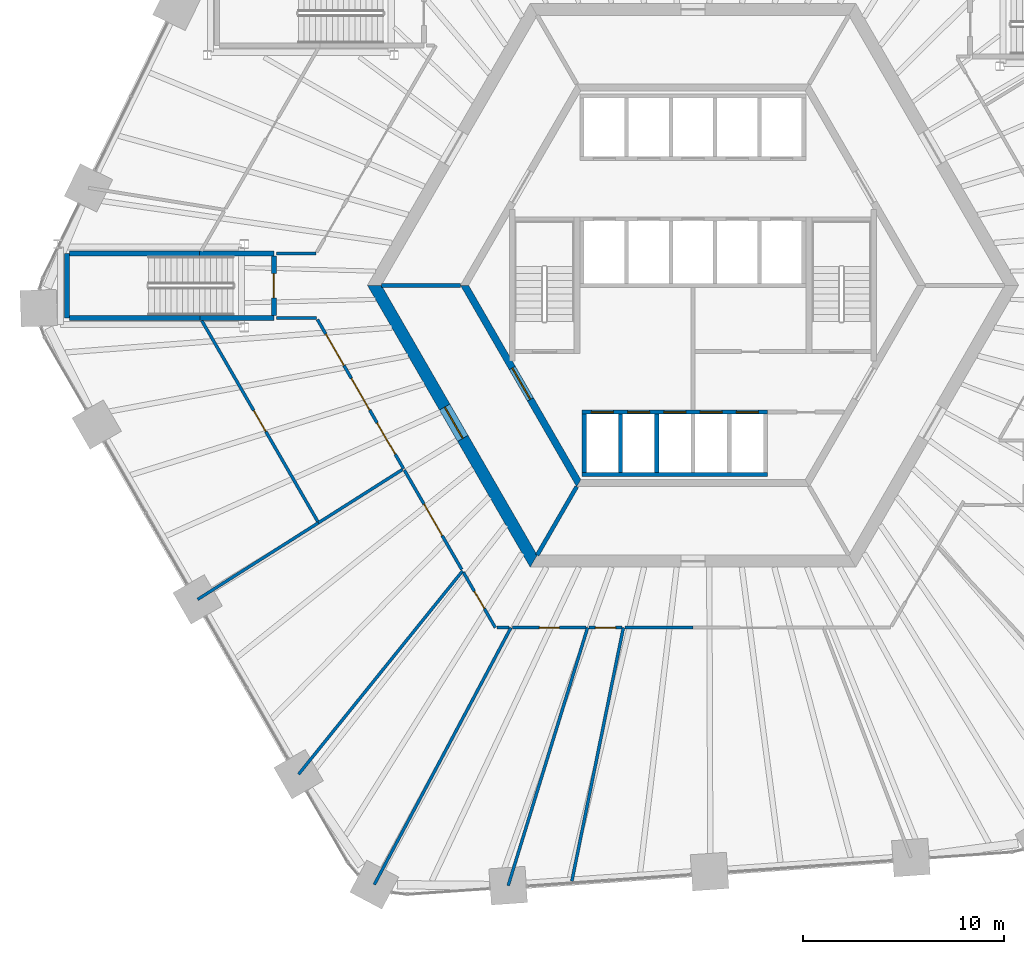
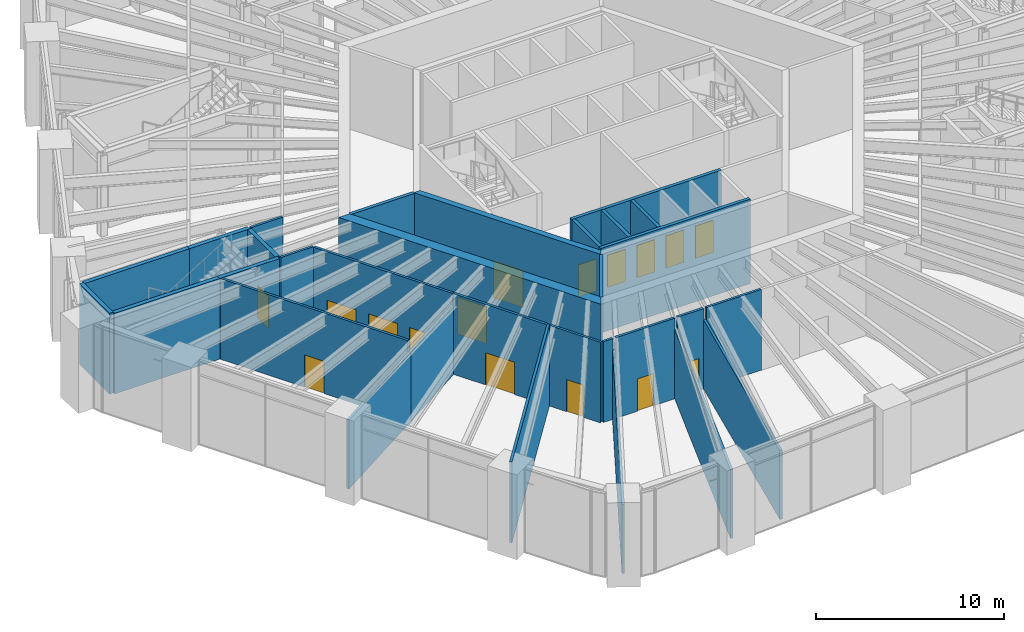
# One storey, part 21 of 30: 31 walls, 16 doors, 16 openings.
"""IFC4 building model written with IfcOpenShell, lengths in metres."""

from ifc_helpers import new_model, si_unit, direction, frame, frame_2d, origin, place, context, subcontext, project, spatial, polyline, rectangle, outline, extrude, material, layer, layer_set, type_object, element, fill, save


model = new_model("IFC4")

# Units and contexts
model_context = context("Model", 3, precision=1e-05, world=origin(), true_north=direction((0.0, 1.0)))
body_context = subcontext(model_context, "Body", "Model", "MODEL_VIEW")
ifc_project = project(units=[si_unit("LENGTHUNIT", "METRE"), si_unit("AREAUNIT", "SQUARE_METRE"), si_unit("VOLUMEUNIT", "CUBIC_METRE"), si_unit("PLANEANGLEUNIT", "RADIAN"), si_unit("MASSUNIT", "GRAM", prefix="KILO")], contexts=[model_context])

# Site, building, storey
site_placement = place(None, origin())
site = spatial("IfcSite", under=ifc_project, at=site_placement, CompositionType="ELEMENT")
building_placement = place(site_placement, origin())
building = spatial("IfcBuilding", under=site, at=building_placement, Name="Tarnside Tower", CompositionType="ELEMENT")
storey_placement = place(building_placement, frame((0.0, 0.0, 20.5)))
storey = spatial("IfcBuildingStorey", under=building, at=storey_placement, Name="L03", CompositionType="ELEMENT", Elevation=20.5)

# Wall, opening, door
ifc_material_1 = material(Name="Concrete C50/60", Category="concrete")
ifc_layer_1 = layer(ifc_material_1, 0.35009765625)
ifc_layer_set_1 = layer_set([ifc_layer_1], Name="Core block wall 350 C50/60")
wall_type_1 = type_object("IfcWallType", Name="Core block wall 350 C50/60", PredefinedType="SHEAR", material=ifc_layer_set_1)
wall_1_placement = place(storey_placement, frame((-11.344970703125, 0.0, -0.25), z_axis=(0.0, 0.0, 1.0), x_axis=(0.499995046907, -0.866028263435, 0.0)))
wall_1 = element("IfcWall", 1, at=wall_1_placement, inside=storey, type_object=wall_type_1, Name="L03 core block wall face 3", PredefinedType="SHEAR", context=body_context, shape_type="SweptSolid", body=[
    extrude(outline(polyline([(-0.10107421875, -0.175048828125), (11.44580078125, -0.175048828125), (11.24365234375, 0.175048828125), (0.10107421875, 0.175048828125), (-0.10107421875, -0.175048828125)])), origin(), (0.0, 0.0, 1.0), 5.5),
])
opening_1_placement = place(wall_1_placement, frame((4.74365234375, 0.0, 0.25)))
opening_1 = element("IfcOpeningElement", 2, at=opening_1_placement, cuts=wall_1, Name="Opening CD-FFL", PredefinedType="OPENING", context=body_context, shape_type="SweptSolid", body=[
    extrude(rectangle(XDim=1.800048828125, YDim=2.39990234375, at=frame_2d((0.89990234375, 1.199951171875))), frame((0.0, 0.18505859375, 0.0), z_axis=(0.0, -1.0, 0.0), x_axis=(1.0, 0.0, 0.0)), (0.0, 0.0, 1.0), 0.3701171875),
])
ifc_material_2 = material(Name="Steel fire door", Category="steel")
door_type_1 = type_object("IfcDoorType", Name="Firefighting lobby double door FD60S 1800x2400", OperationType="NOTDEFINED", PredefinedType="DOOR", material=ifc_material_2)
door_1_placement = place(opening_1_placement, origin())
door_1 = element("IfcDoor", 3, at=door_1_placement, inside=storey, type_object=door_type_1, Name="L03 lobby block door P3", OperationType="DOUBLE_DOOR_SINGLE_SWING", OverallHeight=2.39990234375, OverallWidth=1.800048828125, PredefinedType="DOOR", context=body_context, shape_type="SweptSolid", body=[
    extrude(rectangle(XDim=1.800048828125, YDim=2.39990234375, at=frame_2d((0.89990234375, 1.199951171875))), frame((0.0, 0.02490234375, 0.0), z_axis=(0.0, -1.0, 0.0), x_axis=(1.0, 0.0, 0.0)), (0.0, 0.0, 1.0), 0.050048828125),
])
fill(opening_1, door_1)

ifc_material_3 = material(Name="Concrete C80/95", Category="concrete")
ifc_layer_2 = layer(ifc_material_3, 0.60009765625)
ifc_layer_set_2 = layer_set([ifc_layer_2], Name="Core wall Z1 600 C80/95")
wall_type_2 = type_object("IfcWallType", Name="Core wall Z1 600 C80/95", PredefinedType="SHEAR", material=ifc_layer_set_2)
wall_2_placement = place(storey_placement, frame((-15.8193359375, 0.0, -0.25), z_axis=(0.0, 0.0, 1.0), x_axis=(0.499999880136, -0.866025472988, 0.0)))
wall_2 = element("IfcWall", 4, at=wall_2_placement, inside=storey, type_object=wall_type_2, Name="L03 core wall face 3", PredefinedType="SHEAR", context=body_context, shape_type="SweptSolid", body=[
    extrude(outline(polyline([(-0.17333984375, -0.300048828125), (15.99267578125, -0.300048828125), (15.64599609375, 0.300048828125), (0.17333984375, 0.300048828125), (-0.17333984375, -0.300048828125)])), origin(), (0.0, 0.0, 1.0), 5.5),
])
opening_2_placement = place(wall_2_placement, frame((6.980712890625, 0.0, 0.25)))
opening_2 = element("IfcOpeningElement", 5, at=opening_2_placement, cuts=wall_2, Name="Opening CD-FFL", PredefinedType="OPENING", context=body_context, shape_type="SweptSolid", body=[
    extrude(rectangle(XDim=1.800048828125, YDim=2.39990234375, at=frame_2d((0.89990234375, 1.199951171875))), frame((0.0, 0.31005859375, 0.0), z_axis=(0.0, -1.0, 0.0), x_axis=(1.0, 0.0, 0.0)), (0.0, 0.0, 1.0), 0.6201171875),
])
door_2_placement = place(opening_2_placement, origin())
door_2 = element("IfcDoor", 6, at=door_2_placement, inside=storey, type_object=door_type_1, Name="L03 core door P3", OperationType="DOUBLE_DOOR_SINGLE_SWING", OverallHeight=2.39990234375, OverallWidth=1.800048828125, PredefinedType="DOOR", context=body_context, shape_type="SweptSolid", body=[
    extrude(rectangle(XDim=1.800048828125, YDim=2.39990234375, at=frame_2d((0.89990234375, 1.199951171875))), frame((0.0, 0.02490234375, 0.0), z_axis=(0.0, -1.0, 0.0), x_axis=(1.0, 0.0, 0.0)), (0.0, 0.0, 1.0), 0.050048828125),
])
fill(opening_2, door_2)

# Wall, openings, doors
ifc_material_4 = material(Name="Concrete C40/50", Category="concrete")
ifc_layer_3 = layer(ifc_material_4, 0.199951171875)
ifc_layer_set_3 = layer_set([ifc_layer_3], Name="Lift shaft wall 200 C40/50")
wall_type_3 = type_object("IfcWallType", Name="Lift shaft wall 200 C40/50", PredefinedType="SHEAR", material=ifc_layer_set_3)
wall_3_placement = place(storey_placement, frame((-5.5, -6.300048828125, -0.25), z_axis=(0.0, 0.0, 1.0), x_axis=(1.0, 0.0, 0.0)))
wall_3 = element("IfcWall", 7, at=wall_3_placement, inside=storey, type_object=wall_type_3, Name="L03 lift shaft front wall R4", PredefinedType="SHEAR", context=body_context, shape_type="SweptSolid", body=[
    extrude(rectangle(XDim=9.199951171875, YDim=0.199951171875, at=frame_2d((4.60009765625, 0.0))), origin(), (0.0, 0.0, 1.0), 5.5),
])
opening_3_placement = place(wall_3_placement, frame((0.449951171875, 0.0, 0.25)))
opening_3 = element("IfcOpeningElement", 8, at=opening_3_placement, cuts=wall_3, Name="Opening LDF", PredefinedType="OPENING", context=body_context, shape_type="SweptSolid", body=[
    extrude(rectangle(XDim=1.10009765625, YDim=2.10009765625, at=frame_2d((0.550048828125, 1.050048828125))), frame((0.0, 0.10986328125, 0.0), z_axis=(0.0, -1.0, 0.0), x_axis=(1.0, 0.0, 0.0)), (0.0, 0.0, 1.0), 0.219970703125),
])
opening_4_placement = place(wall_3_placement, frame((2.25, 0.0, 0.25)))
opening_4 = element("IfcOpeningElement", 9, at=opening_4_placement, cuts=wall_3, Name="Opening LDF", PredefinedType="OPENING", context=body_context, shape_type="SweptSolid", body=[
    extrude(rectangle(XDim=1.10009765625, YDim=2.10009765625, at=frame_2d((0.550048828125, 1.050048828125))), frame((0.0, 0.10986328125, 0.0), z_axis=(0.0, -1.0, 0.0), x_axis=(1.0, 0.0, 0.0)), (0.0, 0.0, 1.0), 0.219970703125),
])
opening_5_placement = place(wall_3_placement, frame((4.050048828125, 0.0, 0.25)))
opening_5 = element("IfcOpeningElement", 10, at=opening_5_placement, cuts=wall_3, Name="Opening LDF", PredefinedType="OPENING", context=body_context, shape_type="SweptSolid", body=[
    extrude(rectangle(XDim=1.10009765625, YDim=2.10009765625, at=frame_2d((0.550048828125, 1.050048828125))), frame((0.0, 0.10986328125, 0.0), z_axis=(0.0, -1.0, 0.0), x_axis=(1.0, 0.0, 0.0)), (0.0, 0.0, 1.0), 0.219970703125),
])
opening_6_placement = place(wall_3_placement, frame((5.85009765625, 0.0, 0.25)))
opening_6 = element("IfcOpeningElement", 11, at=opening_6_placement, cuts=wall_3, Name="Opening LDF", PredefinedType="OPENING", context=body_context, shape_type="SweptSolid", body=[
    extrude(rectangle(XDim=1.10009765625, YDim=2.10009765625, at=frame_2d((0.550048828125, 1.050048828125))), frame((0.0, 0.10986328125, 0.0), z_axis=(0.0, -1.0, 0.0), x_axis=(1.0, 0.0, 0.0)), (0.0, 0.0, 1.0), 0.219970703125),
])
opening_7_placement = place(wall_3_placement, frame((7.64990234375, 0.0, 0.25)))
opening_7 = element("IfcOpeningElement", 12, at=opening_7_placement, cuts=wall_3, Name="Opening LDF", PredefinedType="OPENING", context=body_context, shape_type="SweptSolid", body=[
    extrude(rectangle(XDim=1.10009765625, YDim=2.10009765625, at=frame_2d((0.550048828125, 1.050048828125))), frame((0.0, 0.10986328125, 0.0), z_axis=(0.0, -1.0, 0.0), x_axis=(1.0, 0.0, 0.0)), (0.0, 0.0, 1.0), 0.219970703125),
])
ifc_material_5 = material(Name="Stainless steel", Category="steel")
door_type_2 = type_object("IfcDoorType", Name="Lift landing door 1100x2100 EI 120", OperationType="NOTDEFINED", PredefinedType="DOOR", material=ifc_material_5)
door_3_placement = place(opening_3_placement, origin())
door_3 = element("IfcDoor", 13, at=door_3_placement, inside=storey, type_object=door_type_2, Name="Firefighting lift 1 landing door L03", OperationType="SLIDING_TO_LEFT", OverallHeight=2.10009765625, OverallWidth=1.10009765625, PredefinedType="DOOR", context=body_context, shape_type="SweptSolid", body=[
    extrude(rectangle(XDim=1.10009765625, YDim=2.10009765625, at=frame_2d((0.550048828125, 1.050048828125))), frame((0.0, 0.02490234375, 0.0), z_axis=(0.0, -1.0, 0.0), x_axis=(1.0, 0.0, 0.0)), (0.0, 0.0, 1.0), 0.050048828125),
])
fill(opening_3, door_3)
door_4_placement = place(opening_4_placement, origin())
door_4 = element("IfcDoor", 14, at=door_4_placement, inside=storey, type_object=door_type_2, Name="Firefighting lift 2 landing door L03", OperationType="SLIDING_TO_LEFT", OverallHeight=2.10009765625, OverallWidth=1.10009765625, PredefinedType="DOOR", context=body_context, shape_type="SweptSolid", body=[
    extrude(rectangle(XDim=1.10009765625, YDim=2.10009765625, at=frame_2d((0.550048828125, 1.050048828125))), frame((0.0, 0.02490234375, 0.0), z_axis=(0.0, -1.0, 0.0), x_axis=(1.0, 0.0, 0.0)), (0.0, 0.0, 1.0), 0.050048828125),
])
fill(opening_4, door_4)
door_5_placement = place(opening_5_placement, origin())
door_5 = element("IfcDoor", 15, at=door_5_placement, inside=storey, type_object=door_type_2, Name="Firefighting lift 3 landing door L03", OperationType="SLIDING_TO_LEFT", OverallHeight=2.10009765625, OverallWidth=1.10009765625, PredefinedType="DOOR", context=body_context, shape_type="SweptSolid", body=[
    extrude(rectangle(XDim=1.10009765625, YDim=2.10009765625, at=frame_2d((0.550048828125, 1.050048828125))), frame((0.0, 0.02490234375, 0.0), z_axis=(0.0, -1.0, 0.0), x_axis=(1.0, 0.0, 0.0)), (0.0, 0.0, 1.0), 0.050048828125),
])
fill(opening_5, door_5)
door_6_placement = place(opening_6_placement, origin())
door_6 = element("IfcDoor", 16, at=door_6_placement, inside=storey, type_object=door_type_2, Name="Firefighting lift 4 landing door L03", OperationType="SLIDING_TO_LEFT", OverallHeight=2.10009765625, OverallWidth=1.10009765625, PredefinedType="DOOR", context=body_context, shape_type="SweptSolid", body=[
    extrude(rectangle(XDim=1.10009765625, YDim=2.10009765625, at=frame_2d((0.550048828125, 1.050048828125))), frame((0.0, 0.02490234375, 0.0), z_axis=(0.0, -1.0, 0.0), x_axis=(1.0, 0.0, 0.0)), (0.0, 0.0, 1.0), 0.050048828125),
])
fill(opening_6, door_6)
door_7_placement = place(opening_7_placement, origin())
door_7 = element("IfcDoor", 17, at=door_7_placement, inside=storey, type_object=door_type_2, Name="Firefighting lift 5 landing door L03", OperationType="SLIDING_TO_LEFT", OverallHeight=2.10009765625, OverallWidth=1.10009765625, PredefinedType="DOOR", context=body_context, shape_type="SweptSolid", body=[
    extrude(rectangle(XDim=1.10009765625, YDim=2.10009765625, at=frame_2d((0.550048828125, 1.050048828125))), frame((0.0, 0.02490234375, 0.0), z_axis=(0.0, -1.0, 0.0), x_axis=(1.0, 0.0, 0.0)), (0.0, 0.0, 1.0), 0.050048828125),
])
fill(opening_7, door_7)

# Walls
wall_4_placement = place(storey_placement, frame((-5.5, -9.39990234375, -0.25), z_axis=(0.0, 0.0, 1.0), x_axis=(1.0, 0.0, 0.0)))
element("IfcWall", 18, at=wall_4_placement, inside=storey, type_object=wall_type_3, Name="L03 lift shaft back wall R4", PredefinedType="SHEAR", context=body_context, shape_type="SweptSolid", body=[
    extrude(rectangle(XDim=9.199951171875, YDim=0.199951171875, at=frame_2d((4.60009765625, 0.0))), origin(), (0.0, 0.0, 1.0), 5.5),
])
for number, where, z_axis, x_axis, name in (
    (19, (-5.39990234375, -9.300048828125, -0.25), (0.0, 0.0, 1.0), (0.0, 1.0, 0.0), "L03 lift shaft partition R41"),
    (20, (-3.60009765625, -9.300048828125, -0.25), (0.0, 0.0, 1.0), (0.0, 1.0, 0.0), "L03 lift shaft partition R42"),
    (21, (-1.800048828125, -9.300048828125, -0.25), (0.0, 0.0, 1.0), (0.0, 1.0, 0.0), "L03 lift shaft partition R43"),
):
    element("IfcWall", number, at=place(storey_placement, frame(where, z_axis=z_axis, x_axis=x_axis)), inside=storey, type_object=wall_type_3, Name=name, PredefinedType="SHEAR", context=body_context, shape_type="SweptSolid", body=[
        extrude(rectangle(XDim=2.900146484375, YDim=0.199951171875, at=frame_2d((1.4501953125, 0.0))), origin(), (0.0, 0.0, 1.0), 5.5),
    ])
wall_5_placement = place(storey_placement, frame((-11.547119140625, 0.0, -0.25), z_axis=(0.0, 0.0, 1.0), x_axis=(-1.0, 0.0, 0.0)))
element("IfcWall", 22, at=wall_5_placement, inside=storey, type_object=wall_type_3, Name="L03 core partition AR180", PredefinedType="SHEAR", context=body_context, shape_type="SweptSolid", body=[
    extrude(rectangle(XDim=3.92578125, YDim=0.199951171875, at=frame_2d((1.962890625, 0.0))), origin(), (0.0, 0.0, 1.0), 5.5),
])
wall_6_placement = place(storey_placement, frame((-5.7734375, -10.0, -0.25), z_axis=(0.0, 0.0, 1.0), x_axis=(-0.500038251005, -0.86600331843, 0.0)))
element("IfcWall", 23, at=wall_6_placement, inside=storey, type_object=wall_type_3, Name="L03 core partition AR240", PredefinedType="SHEAR", context=body_context, shape_type="SweptSolid", body=[
    extrude(rectangle(XDim=3.926025390625, YDim=0.199951171875, at=frame_2d((1.962890625, 0.0))), origin(), (0.0, 0.0, 1.0), 5.5),
])
ifc_material_6 = material(Name="Gypsum board")
ifc_layer_4 = layer(ifc_material_6, 0.14990234375)
ifc_layer_set_4 = layer_set([ifc_layer_4], Name="Partition 150 gypsum board on metal stud")
wall_type_4 = type_object("IfcWallType", Name="Partition 150 gypsum board on metal stud", PredefinedType="PARTITIONING", material=ifc_layer_set_4)
wall_7_placement = place(storey_placement, frame((-24.595947265625, -15.59912109375, 0.0), z_axis=(0.0, 0.0, 1.0), x_axis=(0.844481327027, 0.535584996339, 0.0)))
element("IfcWall", 24, at=wall_7_placement, inside=storey, type_object=wall_type_4, Name="Partition 003", PredefinedType="PARTITIONING", context=body_context, shape_type="SweptSolid", body=[
    extrude(rectangle(XDim=7.11572265625, YDim=0.14990234375, at=frame_2d((3.557861328125, 0.0))), origin(), (0.0, 0.0, 1.0), 4.49609375),
])

# Wall, opening, door
wall_8_placement = place(storey_placement, frame((-18.632568359375, -11.72802734375, 0.0), z_axis=(0.0, 0.0, 1.0), x_axis=(-0.499963358889, 0.866046557506, 0.0)))
wall_8 = element("IfcWall", 25, at=wall_8_placement, inside=storey, type_object=wall_type_4, Name="Partition 005", PredefinedType="PARTITIONING", context=body_context, shape_type="SweptSolid", body=[
    extrude(rectangle(XDim=11.521240234375, YDim=0.14990234375, at=frame_2d((5.7607421875, 0.0))), origin(), (0.0, 0.0, 1.0), 5.25),
])
opening_8_placement = place(wall_8_placement, frame((5.16064453125, 0.0, 0.0)))
opening_8 = element("IfcOpeningElement", 26, at=opening_8_placement, cuts=wall_8, Name="Opening D1200F30", PredefinedType="OPENING", context=body_context, shape_type="SweptSolid", body=[
    extrude(rectangle(XDim=1.199951171875, YDim=2.10009765625, at=frame_2d((0.60009765625, 1.050048828125))), frame((0.0, 0.0849609375, 0.0), z_axis=(0.0, -1.0, 0.0), x_axis=(1.0, 0.0, 0.0)), (0.0, 0.0, 1.0), 0.169921875),
])
ifc_material_7 = material(Name="Timber door leaf", Category="wood")
door_type_3 = type_object("IfcDoorType", Name="Door 1200 x 2100 single leaf FD30S fire door", OperationType="NOTDEFINED", PredefinedType="DOOR", material=ifc_material_7)
door_8_placement = place(opening_8_placement, origin())
door_8 = element("IfcDoor", 27, at=door_8_placement, inside=storey, type_object=door_type_3, Name="Door L03-01", OperationType="SINGLE_SWING_RIGHT", OverallHeight=2.10009765625, OverallWidth=1.199951171875, PredefinedType="DOOR", context=body_context, shape_type="SweptSolid", body=[
    extrude(rectangle(XDim=1.199951171875, YDim=2.10009765625, at=frame_2d((0.60009765625, 1.050048828125))), frame((0.0, 0.02490234375, 0.0), z_axis=(0.0, -1.0, 0.0), x_axis=(1.0, 0.0, 0.0)), (0.0, 0.0, 1.0), 0.050048828125),
])
fill(opening_8, door_8)

# Walls
wall_9_placement = place(storey_placement, frame((-20.679931640625, 1.574951171875, 0.0), z_axis=(0.0, 0.0, 1.0), x_axis=(1.0, 0.0, 0.0)))
element("IfcWall", 28, at=wall_9_placement, inside=storey, type_object=wall_type_4, Name="Partition 013", PredefinedType="PARTITIONING", context=body_context, shape_type="SweptSolid", body=[
    extrude(rectangle(XDim=1.958984375, YDim=0.14990234375, at=frame_2d((0.9794921875, 0.0))), origin(), (0.0, 0.0, 1.0), 5.25),
])
wall_10_placement = place(storey_placement, frame((-19.583984375, -24.280029296875, 0.0), z_axis=(0.0, 0.0, 1.0), x_axis=(0.627807267634, 0.77836882948, 0.0)))
element("IfcWall", 29, at=wall_10_placement, inside=storey, type_object=wall_type_4, Name="Partition 014", PredefinedType="PARTITIONING", context=body_context, shape_type="SweptSolid", body=[
    extrude(rectangle(XDim=12.970703125, YDim=0.14990234375, at=frame_2d((6.4853515625, 0.0))), origin(), (0.0, 0.0, 1.0), 5.25),
])
wall_11_placement = place(storey_placement, frame((-18.69189453125, -1.625, 0.0), z_axis=(0.0, 0.0, 1.0), x_axis=(-1.0, 0.0, 0.0)))
element("IfcWall", 30, at=wall_11_placement, inside=storey, type_object=wall_type_4, Name="Partition 015", PredefinedType="PARTITIONING", context=body_context, shape_type="SweptSolid", body=[
    extrude(rectangle(XDim=1.988037109375, YDim=0.14990234375, at=frame_2d((0.994140625, 0.0))), origin(), (0.0, 0.0, 1.0), 5.25),
])

# Wall, openings, doors
wall_12_placement = place(storey_placement, frame((-18.648681640625, -1.699951171875, 0.0), z_axis=(0.0, 0.0, 1.0), x_axis=(0.499985805234, -0.866033598981, 0.0)))
wall_12 = element("IfcWall", 31, at=wall_12_placement, inside=storey, type_object=wall_type_4, Name="Partition 016", PredefinedType="PARTITIONING", context=body_context, shape_type="SweptSolid", body=[
    extrude(rectangle(XDim=8.559814453125, YDim=0.14990234375, at=frame_2d((4.27978515625, 0.0))), origin(), (0.0, 0.0, 1.0), 5.25),
])
opening_9_placement = place(wall_12_placement, frame((0.8359375, 0.0, 0.0)))
opening_9 = element("IfcOpeningElement", 32, at=opening_9_placement, cuts=wall_12, Name="Opening D1800F30", PredefinedType="OPENING", context=body_context, shape_type="SweptSolid", body=[
    extrude(rectangle(XDim=1.800048828125, YDim=2.10009765625, at=frame_2d((0.89990234375, 1.050048828125))), frame((0.0, 0.0849609375, 0.0), z_axis=(0.0, -1.0, 0.0), x_axis=(1.0, 0.0, 0.0)), (0.0, 0.0, 1.0), 0.169921875),
])
opening_10_placement = place(wall_12_placement, frame((3.3798828125, 0.0, 0.0)))
opening_10 = element("IfcOpeningElement", 33, at=opening_10_placement, cuts=wall_12, Name="Opening D1800F30", PredefinedType="OPENING", context=body_context, shape_type="SweptSolid", body=[
    extrude(rectangle(XDim=1.800048828125, YDim=2.10009765625, at=frame_2d((0.89990234375, 1.050048828125))), frame((0.0, 0.0849609375, 0.0), z_axis=(0.0, -1.0, 0.0), x_axis=(1.0, 0.0, 0.0)), (0.0, 0.0, 1.0), 0.169921875),
])
opening_11_placement = place(wall_12_placement, frame((5.923828125, 0.0, 0.0)))
opening_11 = element("IfcOpeningElement", 34, at=opening_11_placement, cuts=wall_12, Name="Opening D1800F30", PredefinedType="OPENING", context=body_context, shape_type="SweptSolid", body=[
    extrude(rectangle(XDim=1.800048828125, YDim=2.10009765625, at=frame_2d((0.89990234375, 1.050048828125))), frame((0.0, 0.0849609375, 0.0), z_axis=(0.0, -1.0, 0.0), x_axis=(1.0, 0.0, 0.0)), (0.0, 0.0, 1.0), 0.169921875),
])
door_type_4 = type_object("IfcDoorType", Name="Door pair 1800 x 2100 FD30S fire door", OperationType="NOTDEFINED", PredefinedType="DOOR", material=ifc_material_7)
door_9_placement = place(opening_9_placement, origin())
door_9 = element("IfcDoor", 35, at=door_9_placement, inside=storey, type_object=door_type_4, Name="Door L03-03", OperationType="DOUBLE_DOOR_SINGLE_SWING", OverallHeight=2.10009765625, OverallWidth=1.800048828125, PredefinedType="DOOR", context=body_context, shape_type="SweptSolid", body=[
    extrude(rectangle(XDim=1.800048828125, YDim=2.10009765625, at=frame_2d((0.89990234375, 1.050048828125))), frame((0.0, 0.02490234375, 0.0), z_axis=(0.0, -1.0, 0.0), x_axis=(1.0, 0.0, 0.0)), (0.0, 0.0, 1.0), 0.050048828125),
])
fill(opening_9, door_9)
door_10_placement = place(opening_10_placement, origin())
door_10 = element("IfcDoor", 36, at=door_10_placement, inside=storey, type_object=door_type_4, Name="Door L03-04", OperationType="DOUBLE_DOOR_SINGLE_SWING", OverallHeight=2.10009765625, OverallWidth=1.800048828125, PredefinedType="DOOR", context=body_context, shape_type="SweptSolid", body=[
    extrude(rectangle(XDim=1.800048828125, YDim=2.10009765625, at=frame_2d((0.89990234375, 1.050048828125))), frame((0.0, 0.02490234375, 0.0), z_axis=(0.0, -1.0, 0.0), x_axis=(1.0, 0.0, 0.0)), (0.0, 0.0, 1.0), 0.050048828125),
])
fill(opening_10, door_10)
door_11_placement = place(opening_11_placement, origin())
door_11 = element("IfcDoor", 37, at=door_11_placement, inside=storey, type_object=door_type_4, Name="Door L03-05", OperationType="DOUBLE_DOOR_SINGLE_SWING", OverallHeight=2.10009765625, OverallWidth=1.800048828125, PredefinedType="DOOR", context=body_context, shape_type="SweptSolid", body=[
    extrude(rectangle(XDim=1.800048828125, YDim=2.10009765625, at=frame_2d((0.89990234375, 1.050048828125))), frame((0.0, 0.02490234375, 0.0), z_axis=(0.0, -1.0, 0.0), x_axis=(1.0, 0.0, 0.0)), (0.0, 0.0, 1.0), 0.050048828125),
])
fill(opening_11, door_11)

# Walls
wall_13_placement = place(storey_placement, frame((-18.60302734375, -11.798095703125, 0.0), z_axis=(0.0, 0.0, 1.0), x_axis=(0.844511305062, 0.535537725677, 0.0)))
element("IfcWall", 38, at=wall_13_placement, inside=storey, type_object=wall_type_4, Name="Partition 017", PredefinedType="PARTITIONING", context=body_context, shape_type="SweptSolid", body=[
    extrude(rectangle(XDim=4.9384765625, YDim=0.14990234375, at=frame_2d((2.46923828125, 0.0))), origin(), (0.0, 0.0, 1.0), 4.49609375),
])
wall_14_placement = place(storey_placement, frame((-15.823974609375, -29.760009765625, 0.0), z_axis=(0.0, 0.0, 1.0), x_axis=(0.469487453171, 0.882939143608, 0.0)))
element("IfcWall", 39, at=wall_14_placement, inside=storey, type_object=wall_type_4, Name="Partition 021", PredefinedType="PARTITIONING", context=body_context, shape_type="SweptSolid", body=[
    extrude(rectangle(XDim=14.45166015625, YDim=0.14990234375, at=frame_2d((7.225830078125, 0.0))), origin(), (0.0, 0.0, 1.0), 4.48779296875),
])

# Wall, opening, door
wall_15_placement = place(storey_placement, frame((-11.481201171875, -14.1142578125, 0.0), z_axis=(0.0, 0.0, 1.0), x_axis=(-0.500049947645, 0.865996564577, 0.0)))
wall_15 = element("IfcWall", 40, at=wall_15_placement, inside=storey, type_object=wall_type_4, Name="Partition 024", PredefinedType="PARTITIONING", context=body_context, shape_type="SweptSolid", body=[
    extrude(rectangle(XDim=5.7001953125, YDim=0.14990234375, at=frame_2d((2.85009765625, 0.0))), origin(), (0.0, 0.0, 1.0), 5.25),
])
opening_12_placement = place(wall_15_placement, frame((1.9501953125, 0.0, 0.0)))
opening_12 = element("IfcOpeningElement", 41, at=opening_12_placement, cuts=wall_15, Name="Opening D1800F30", PredefinedType="OPENING", context=body_context, shape_type="SweptSolid", body=[
    extrude(rectangle(XDim=1.800048828125, YDim=2.10009765625, at=frame_2d((0.89990234375, 1.050048828125))), frame((0.0, 0.0849609375, 0.0), z_axis=(0.0, -1.0, 0.0), x_axis=(1.0, 0.0, 0.0)), (0.0, 0.0, 1.0), 0.169921875),
])
door_12_placement = place(opening_12_placement, origin())
door_12 = element("IfcDoor", 42, at=door_12_placement, inside=storey, type_object=door_type_4, Name="Door L03-10", OperationType="DOUBLE_DOOR_SINGLE_SWING", OverallHeight=2.10009765625, OverallWidth=1.800048828125, PredefinedType="DOOR", context=body_context, shape_type="SweptSolid", body=[
    extrude(rectangle(XDim=1.800048828125, YDim=2.10009765625, at=frame_2d((0.89990234375, 1.050048828125))), frame((0.0, 0.02490234375, 0.0), z_axis=(0.0, -1.0, 0.0), x_axis=(1.0, 0.0, 0.0)), (0.0, 0.0, 1.0), 0.050048828125),
])
fill(opening_12, door_12)

wall_16_placement = place(storey_placement, frame((-9.81494140625, -17.0, 0.0), z_axis=(0.0, 0.0, 1.0), x_axis=(-0.500080068905, 0.865979171045, 0.0)))
wall_16 = element("IfcWall", 43, at=wall_16_placement, inside=storey, type_object=wall_type_4, Name="Partition 031", PredefinedType="PARTITIONING", context=body_context, shape_type="SweptSolid", body=[
    extrude(rectangle(XDim=3.17138671875, YDim=0.14990234375, at=frame_2d((1.585693359375, 0.0))), origin(), (0.0, 0.0, 1.0), 5.25),
])
opening_13_placement = place(wall_16_placement, frame((1.085693359375, 0.0, 0.0)))
opening_13 = element("IfcOpeningElement", 44, at=opening_13_placement, cuts=wall_16, Name="Opening D1000", PredefinedType="OPENING", context=body_context, shape_type="SweptSolid", body=[
    extrude(rectangle(XDim=1.0, YDim=2.10009765625, at=frame_2d((0.5, 1.050048828125))), frame((0.0, 0.0849609375, 0.0), z_axis=(0.0, -1.0, 0.0), x_axis=(1.0, 0.0, 0.0)), (0.0, 0.0, 1.0), 0.169921875),
])
door_type_5 = type_object("IfcDoorType", Name="Door 1000 x 2100 single leaf", OperationType="NOTDEFINED", PredefinedType="DOOR", material=ifc_material_7)
door_13_placement = place(opening_13_placement, origin())
door_13 = element("IfcDoor", 45, at=door_13_placement, inside=storey, type_object=door_type_5, Name="Door L03-14", OperationType="SINGLE_SWING_LEFT", OverallHeight=2.10009765625, OverallWidth=1.0, PredefinedType="DOOR", context=body_context, shape_type="SweptSolid", body=[
    extrude(rectangle(XDim=1.0, YDim=2.10009765625, at=frame_2d((0.5, 1.050048828125))), frame((0.0, 0.02490234375, 0.0), z_axis=(0.0, -1.0, 0.0), x_axis=(1.0, 0.0, 0.0)), (0.0, 0.0, 1.0), 0.050048828125),
])
fill(opening_13, door_13)

# Walls
wall_17_placement = place(storey_placement, frame((-9.728515625, -17.0, 0.0), z_axis=(0.0, 0.0, 1.0), x_axis=(1.0, 0.0, 0.0)))
element("IfcWall", 46, at=wall_17_placement, inside=storey, type_object=wall_type_4, Name="Partition 041", PredefinedType="PARTITIONING", context=body_context, shape_type="SweptSolid", body=[
    extrude(rectangle(XDim=0.6044921875, YDim=0.14990234375, at=frame_2d((0.30224609375, 0.0))), origin(), (0.0, 0.0, 1.0), 5.25),
])
wall_18_placement = place(storey_placement, frame((-9.177001953125, -29.81298828125, 0.0), z_axis=(0.0, 0.0, 1.0), x_axis=(0.29419717946, 0.955744746048, 0.0)))
element("IfcWall", 47, at=wall_18_placement, inside=storey, type_object=wall_type_4, Name="Partition 042", PredefinedType="PARTITIONING", context=body_context, shape_type="SweptSolid", body=[
    extrude(rectangle(XDim=13.40625, YDim=0.14990234375, at=frame_2d((6.703125, 0.0))), origin(), (0.0, 0.0, 1.0), 4.48779296875),
])

# Wall, opening, door
wall_19_placement = place(storey_placement, frame((-5.3115234375, -17.0, 0.0), z_axis=(0.0, 0.0, 1.0), x_axis=(-1.0, 0.0, 0.0)))
wall_19 = element("IfcWall", 48, at=wall_19_placement, inside=storey, type_object=wall_type_4, Name="Partition 043", PredefinedType="PARTITIONING", context=body_context, shape_type="SweptSolid", body=[
    extrude(rectangle(XDim=3.642578125, YDim=0.14990234375, at=frame_2d((1.8212890625, 0.0))), origin(), (0.0, 0.0, 1.0), 5.25),
])
opening_14_placement = place(wall_19_placement, frame((1.3212890625, 0.0, 0.0)))
opening_14 = element("IfcOpeningElement", 49, at=opening_14_placement, cuts=wall_19, Name="Opening D1000", PredefinedType="OPENING", context=body_context, shape_type="SweptSolid", body=[
    extrude(rectangle(XDim=1.0, YDim=2.10009765625, at=frame_2d((0.5, 1.050048828125))), frame((0.0, 0.0849609375, 0.0), z_axis=(0.0, -1.0, 0.0), x_axis=(1.0, 0.0, 0.0)), (0.0, 0.0, 1.0), 0.169921875),
])
door_14_placement = place(opening_14_placement, origin())
door_14 = element("IfcDoor", 50, at=door_14_placement, inside=storey, type_object=door_type_5, Name="Door L03-16", OperationType="SINGLE_SWING_LEFT", OverallHeight=2.10009765625, OverallWidth=1.0, PredefinedType="DOOR", context=body_context, shape_type="SweptSolid", body=[
    extrude(rectangle(XDim=1.0, YDim=2.10009765625, at=frame_2d((0.5, 1.050048828125))), frame((0.0, 0.02490234375, 0.0), z_axis=(0.0, -1.0, 0.0), x_axis=(1.0, 0.0, 0.0)), (0.0, 0.0, 1.0), 0.050048828125),
])
fill(opening_14, door_14)

# Wall
wall_20_placement = place(storey_placement, frame((-6.01611328125, -29.592041015625, 0.0), z_axis=(0.0, 0.0, 1.0), x_axis=(0.199231841521, 0.979952383192, 0.0)))
element("IfcWall", 51, at=wall_20_placement, inside=storey, type_object=wall_type_4, Name="Partition 046", PredefinedType="PARTITIONING", context=body_context, shape_type="SweptSolid", body=[
    extrude(rectangle(XDim=12.849609375, YDim=0.14990234375, at=frame_2d((6.4248046875, 0.0))), origin(), (0.0, 0.0, 1.0), 4.49609375),
])

# Wall, opening, door
wall_21_placement = place(storey_placement, frame((-3.532470703125, -17.0, 0.0), z_axis=(0.0, 0.0, 1.0), x_axis=(-1.0, 0.0, 0.0)))
wall_21 = element("IfcWall", 52, at=wall_21_placement, inside=storey, type_object=wall_type_4, Name="Partition 047", PredefinedType="PARTITIONING", context=body_context, shape_type="SweptSolid", body=[
    extrude(rectangle(XDim=1.6220703125, YDim=0.14990234375, at=frame_2d((0.81103515625, 0.0))), origin(), (0.0, 0.0, 1.0), 5.25),
])
opening_15_placement = place(wall_21_placement, frame((0.31103515625, 0.0, 0.0)))
opening_15 = element("IfcOpeningElement", 53, at=opening_15_placement, cuts=wall_21, Name="Opening D1000", PredefinedType="OPENING", context=body_context, shape_type="SweptSolid", body=[
    extrude(rectangle(XDim=1.0, YDim=2.10009765625, at=frame_2d((0.5, 1.050048828125))), frame((0.0, 0.0849609375, 0.0), z_axis=(0.0, -1.0, 0.0), x_axis=(1.0, 0.0, 0.0)), (0.0, 0.0, 1.0), 0.169921875),
])
door_15_placement = place(opening_15_placement, origin())
door_15 = element("IfcDoor", 54, at=door_15_placement, inside=storey, type_object=door_type_5, Name="Door L03-17", OperationType="SINGLE_SWING_RIGHT", OverallHeight=2.10009765625, OverallWidth=1.0, PredefinedType="DOOR", context=body_context, shape_type="SweptSolid", body=[
    extrude(rectangle(XDim=1.0, YDim=2.10009765625, at=frame_2d((0.5, 1.050048828125))), frame((0.0, 0.02490234375, 0.0), z_axis=(0.0, -1.0, 0.0), x_axis=(1.0, 0.0, 0.0)), (0.0, 0.0, 1.0), 0.050048828125),
])
fill(opening_15, door_15)

# Walls
wall_22_placement = place(storey_placement, frame((-3.37939453125, -17.0, 0.0), z_axis=(0.0, 0.0, 1.0), x_axis=(1.0, 0.0, 0.0)))
element("IfcWall", 55, at=wall_22_placement, inside=storey, type_object=wall_type_4, Name="Partition 048", PredefinedType="PARTITIONING", context=body_context, shape_type="SweptSolid", body=[
    extrude(rectangle(XDim=3.37939453125, YDim=0.14990234375, at=frame_2d((1.689697265625, 0.0))), origin(), (0.0, 0.0, 1.0), 5.25),
])
ifc_material_8 = material(Name="Concrete C32/40", Category="concrete")
ifc_layer_5 = layer(ifc_material_8, 0.25)
ifc_layer_set_5 = layer_set([ifc_layer_5], Name="Wall 250 reinforced Concrete C32/40")
wall_type_5 = type_object("IfcWallType", Name="Wall 250 reinforced Concrete C32/40", PredefinedType="PARTITIONING", material=ifc_layer_set_5)
wall_23_placement = place(storey_placement, frame((-31.074951171875, -1.625, 0.0), z_axis=(0.0, 0.0, 1.0), x_axis=(0.0, 1.0, 0.0)))
element("IfcWall", 56, at=wall_23_placement, inside=storey, type_object=wall_type_5, Name="Partition 000", PredefinedType="PARTITIONING", context=body_context, shape_type="SweptSolid", body=[
    extrude(rectangle(XDim=3.199951171875, YDim=0.25, at=frame_2d((1.60009765625, 0.0))), origin(), (0.0, 0.0, 1.0), 5.25),
])
wall_24_placement = place(storey_placement, frame((-30.949951171875, 1.574951171875, 0.0), z_axis=(0.0, 0.0, 1.0), x_axis=(1.0, 0.0, 0.0)))
element("IfcWall", 57, at=wall_24_placement, inside=storey, type_object=wall_type_5, Name="Partition 001", PredefinedType="PARTITIONING", context=body_context, shape_type="SweptSolid", body=[
    extrude(rectangle(XDim=6.468017578125, YDim=0.25, at=frame_2d((3.23388671875, 0.0))), origin(), (0.0, 0.0, 1.0), 5.25),
])
wall_25_placement = place(storey_placement, frame((-24.50390625, 1.574951171875, 0.0), z_axis=(0.0, 0.0, 1.0), x_axis=(1.0, 0.0, 0.0)))
element("IfcWall", 58, at=wall_25_placement, inside=storey, type_object=wall_type_5, Name="Partition 004", PredefinedType="PARTITIONING", context=body_context, shape_type="SweptSolid", body=[
    extrude(rectangle(XDim=3.698974609375, YDim=0.25, at=frame_2d((1.849609375, 0.0))), origin(), (0.0, 0.0, 1.0), 5.25),
])
wall_26_placement = place(storey_placement, frame((-24.452880859375, -1.625, 0.0), z_axis=(0.0, 0.0, 1.0), x_axis=(-1.0, 0.0, 0.0)))
element("IfcWall", 59, at=wall_26_placement, inside=storey, type_object=wall_type_5, Name="Partition 006", PredefinedType="PARTITIONING", context=body_context, shape_type="SweptSolid", body=[
    extrude(rectangle(XDim=6.4970703125, YDim=0.25, at=frame_2d((3.24853515625, 0.0))), origin(), (0.0, 0.0, 1.0), 5.25),
])
wall_27_placement = place(storey_placement, frame((-20.804931640625, -1.625, 0.0), z_axis=(0.0, 0.0, 1.0), x_axis=(-1.0, 0.0, 0.0)))
element("IfcWall", 60, at=wall_27_placement, inside=storey, type_object=wall_type_5, Name="Partition 011", PredefinedType="PARTITIONING", context=body_context, shape_type="SweptSolid", body=[
    extrude(rectangle(XDim=3.670166015625, YDim=0.25, at=frame_2d((1.8349609375, 0.0))), origin(), (0.0, 0.0, 1.0), 5.25),
])

# Wall, opening, door
wall_28_placement = place(storey_placement, frame((-20.804931640625, 1.449951171875, 0.0), z_axis=(0.0, 0.0, 1.0), x_axis=(0.0, -1.0, 0.0)))
wall_28 = element("IfcWall", 61, at=wall_28_placement, inside=storey, type_object=wall_type_5, Name="Partition 012", PredefinedType="PARTITIONING", context=body_context, shape_type="SweptSolid", body=[
    extrude(rectangle(XDim=2.949951171875, YDim=0.25, at=frame_2d((1.47509765625, 0.0))), origin(), (0.0, 0.0, 1.0), 5.25),
])
opening_16_placement = place(wall_28_placement, frame((0.875, 0.0, 0.0)))
opening_16 = element("IfcOpeningElement", 62, at=opening_16_placement, cuts=wall_28, Name="Opening D1200F60S", PredefinedType="OPENING", context=body_context, shape_type="SweptSolid", body=[
    extrude(rectangle(XDim=1.199951171875, YDim=2.10009765625, at=frame_2d((0.60009765625, 1.050048828125))), frame((0.0, 0.135009765625, 0.0), z_axis=(0.0, -1.0, 0.0), x_axis=(1.0, 0.0, 0.0)), (0.0, 0.0, 1.0), 0.27001953125),
])
door_type_6 = type_object("IfcDoorType", Name="Door 1200 x 2100 single leaf FD60S fire door", OperationType="NOTDEFINED", PredefinedType="DOOR", material=ifc_material_7)
door_16_placement = place(opening_16_placement, origin())
door_16 = element("IfcDoor", 63, at=door_16_placement, inside=storey, type_object=door_type_6, Name="Door L03-02", OperationType="SINGLE_SWING_LEFT", OverallHeight=2.10009765625, OverallWidth=1.199951171875, PredefinedType="DOOR", context=body_context, shape_type="SweptSolid", body=[
    extrude(rectangle(XDim=1.199951171875, YDim=2.10009765625, at=frame_2d((0.60009765625, 1.050048828125))), frame((0.0, 0.02490234375, 0.0), z_axis=(0.0, -1.0, 0.0), x_axis=(1.0, 0.0, 0.0)), (0.0, 0.0, 1.0), 0.050048828125),
])
fill(opening_16, door_16)

save(model, "model.ifc")
